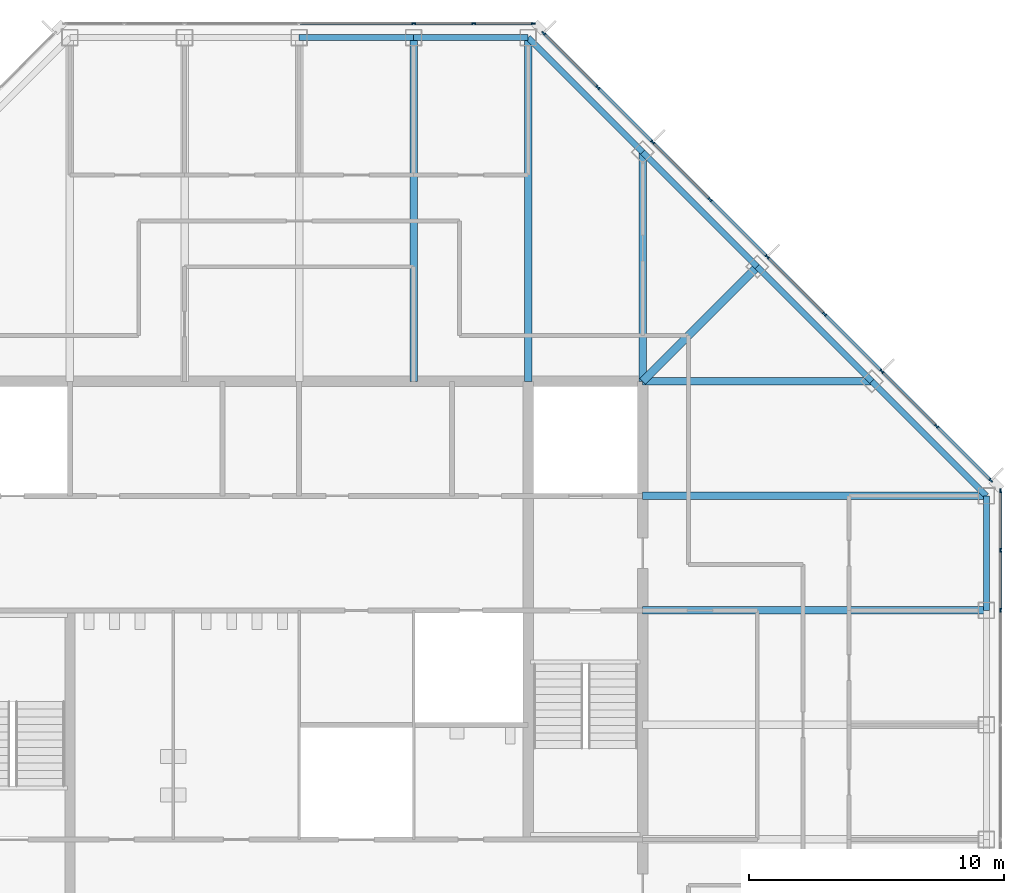
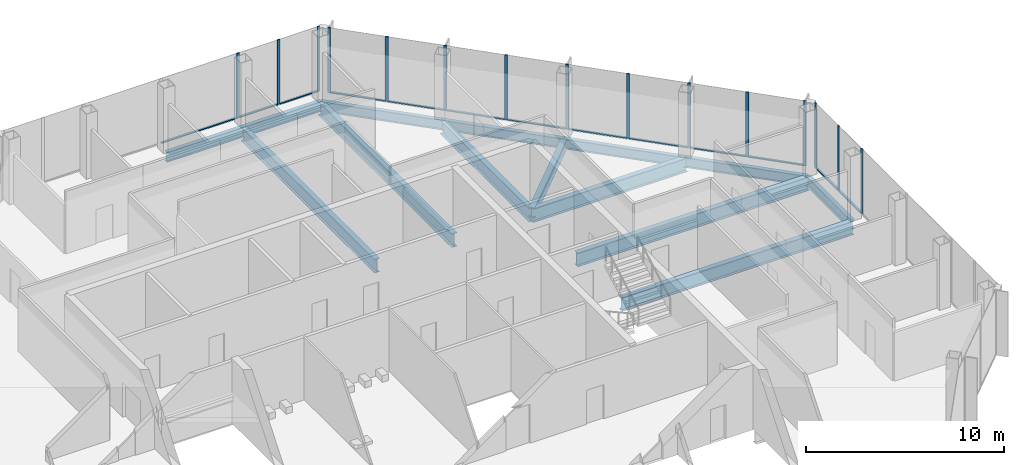
# One storey, part 7 of 14: 28 members, 14 beams, 3 elements without a shape of their own.
"""IFC4 building model written with IfcOpenShell, lengths in metres."""

from ifc_helpers import new_model, si_unit, direction, frame, origin, origin_2d, place, context, subcontext, project, spatial, rectangle, i_section, extrude, material, material_profile, profile_set, type_object, element, aggregate, save


model = new_model("IFC4")

# Units and contexts
model_context = context("Model", 3, precision=1e-05, world=origin(), true_north=direction((0.0, 1.0)))
body_context = subcontext(model_context, "Body", "Model", "MODEL_VIEW")
ifc_project = project(units=[si_unit("LENGTHUNIT", "METRE"), si_unit("AREAUNIT", "SQUARE_METRE"), si_unit("VOLUMEUNIT", "CUBIC_METRE"), si_unit("PLANEANGLEUNIT", "RADIAN"), si_unit("MASSUNIT", "GRAM", prefix="KILO")], contexts=[model_context])

# Site, building, storey
site_placement = place(None, origin())
site = spatial("IfcSite", under=ifc_project, at=site_placement, CompositionType="ELEMENT")
building_placement = place(site_placement, origin())
building = spatial("IfcBuilding", under=site, at=building_placement, Name="Corais Broadcast Tower", CompositionType="ELEMENT")
storey_placement = place(building_placement, frame((0.0, 0.0, 214.60009765625)))
storey = spatial("IfcBuildingStorey", under=building, at=storey_placement, Name="L49", CompositionType="ELEMENT", Elevation=214.60009765625)

# Beams
ifc_material_1 = material(Name="Steel ASTM A572 Grade 50", Category="steel")
ifc_material_profile_1 = material_profile(ifc_material_1, i_section(OverallWidth=0.323974609375, OverallDepth=0.611083984375, WebThickness=0.0126953125, FlangeThickness=0.01904296875, at=origin_2d()), Name="W610x155")
ifc_profile_set_1 = profile_set([ifc_material_profile_1], Name="Steel ASTM A572 Grade 50")
beam_type_1 = type_object("IfcBeamType", Name="Corner diagonal W610x155", PredefinedType="BEAM", material=ifc_profile_set_1)
beam_1_placement = place(storey_placement, frame((45.0, 45.0, -0.465576171875), z_axis=(-0.707106781187, -0.707106781187, 0.0), x_axis=(0.707106781187, -0.707106781187, 0.0)))
element("IfcBeam", 1, at=beam_1_placement, inside=storey, type_object=beam_type_1, Name="B6 L/13 to K/12", PredefinedType="BEAM", context=body_context, shape_type="SweptSolid", body=[
    extrude(i_section(OverallWidth=0.323974609375, OverallDepth=0.611083984375, WebThickness=0.0126953125, FlangeThickness=0.01904296875, at=origin_2d()), origin(), (0.0, 0.0, 1.0), 6.364013671875),
])
ifc_material_2 = material(Name="Steel ASTM A572 Grade 50", Category="steel")
ifc_material_profile_2 = material_profile(ifc_material_2, i_section(OverallWidth=0.2939453125, OverallDepth=0.85107421875, WebThickness=0.01611328125, FlangeThickness=0.02685546875, at=origin_2d()), Name="W840x226")
ifc_profile_set_2 = profile_set([ifc_material_profile_2], Name="Steel ASTM A572 Grade 50")
beam_type_2 = type_object("IfcBeamType", Name="Floor beam W840x226", PredefinedType="BEAM", material=ifc_profile_set_2)
for number, where, z_axis, x_axis, name in (
    (2, (31.5, 54.0, -0.585693359375), (0.0, -1.0, 0.0), (1.0, 0.0, 0.0), "B1 N/10 to K/10"),
    (3, (36.0, 54.0, -0.585693359375), (0.0, -1.0, 0.0), (1.0, 0.0, 0.0), "B1 N/11 to K/11"),
):
    element("IfcBeam", number, at=place(storey_placement, frame(where, z_axis=z_axis, x_axis=x_axis)), inside=storey, type_object=beam_type_2, Name=name, PredefinedType="BEAM", context=body_context, shape_type="SweptSolid", body=[
        extrude(i_section(OverallWidth=0.2939453125, OverallDepth=0.85107421875, WebThickness=0.01611328125, FlangeThickness=0.02685546875, at=origin_2d()), origin(), (0.0, 0.0, 1.0), 13.5),
    ])
for number, where, z_axis, x_axis, name in (
    (4, (40.5, 49.5, -0.585693359375), (0.0, -1.0, 0.0), (1.0, 0.0, 0.0), "B1 M/12 to K/12"),
    (5, (49.5, 40.5, -0.585693359375), (-1.0, 0.0, 0.0), (0.0, -1.0, 0.0), "B1 K/14 to K/12"),
):
    element("IfcBeam", number, at=place(storey_placement, frame(where, z_axis=z_axis, x_axis=x_axis)), inside=storey, type_object=beam_type_2, Name=name, PredefinedType="BEAM", context=body_context, shape_type="SweptSolid", body=[
        extrude(i_section(OverallWidth=0.2939453125, OverallDepth=0.85107421875, WebThickness=0.01611328125, FlangeThickness=0.02685546875, at=origin_2d()), origin(), (0.0, 0.0, 1.0), 9.0),
    ])
for number, where, z_axis, x_axis, name in (
    (6, (54.0, 31.5, -0.585693359375), (-1.0, 0.0, 0.0), (0.0, -1.0, 0.0), "B1 H/15 to H/12"),
    (7, (54.0, 36.0, -0.585693359375), (-1.0, 0.0, 0.0), (0.0, -1.0, 0.0), "B1 J/15 to J/12"),
):
    element("IfcBeam", number, at=place(storey_placement, frame(where, z_axis=z_axis, x_axis=x_axis)), inside=storey, type_object=beam_type_2, Name=name, PredefinedType="BEAM", context=body_context, shape_type="SweptSolid", body=[
        extrude(i_section(OverallWidth=0.2939453125, OverallDepth=0.85107421875, WebThickness=0.01611328125, FlangeThickness=0.02685546875, at=origin_2d()), origin(), (0.0, 0.0, 1.0), 13.5),
    ])

# Curtain wall, members
ifc_material_3 = material(Name="Aluminium and glass", Category="aluminium")
curtain_wall_type = type_object("IfcCurtainWallType", Name="Unitised fritted curtain wall CW3", PredefinedType="NOTDEFINED", material=ifc_material_3)
curtain_wall_1_placement = place(storey_placement, origin())
curtain_wall_1 = element("IfcCurtainWall", 8, at=curtain_wall_1_placement, inside=storey, type_object=curtain_wall_type, Name="CW3 curtain wall L49 4", PredefinedType="NOTDEFINED")
ifc_material_4 = material(Name="Aluminium 6063-T6", Category="aluminium")
ifc_material_profile_3 = material_profile(ifc_material_4, rectangle(XDim=0.06494140625, YDim=0.159912109375, at=origin_2d()), Name="Mullion CW3 65x160")
ifc_profile_set_3 = profile_set([ifc_material_profile_3], Name="Aluminium 6063-T6")
member_type_1 = type_object("IfcMemberType", Name="Mullion CW3 65x160", PredefinedType="MULLION", material=ifc_profile_set_3)
member_1_placement = place(storey_placement, frame((31.5, 54.550048828125, 0.0), z_axis=(0.0, 0.0, 1.0), x_axis=(0.0, 1.0, 0.0)))
member_1 = element("IfcMember", 9, at=member_1_placement, type_object=member_type_1, Name="CW3 mullion 5", PredefinedType="MULLION", context=body_context, shape_type="SweptSolid", body=[
    extrude(rectangle(XDim=0.06494140625, YDim=0.159912109375, at=origin_2d()), origin(), (0.0, 0.0, 1.0), 4.0),
])
member_2_placement = place(storey_placement, frame((33.864013671875, 54.550048828125, 0.0), z_axis=(0.0, 0.0, 1.0), x_axis=(0.0, 1.0, 0.0)))
member_2 = element("IfcMember", 10, at=member_2_placement, type_object=member_type_1, Name="CW3 mullion 6", PredefinedType="MULLION", context=body_context, shape_type="SweptSolid", body=[
    extrude(rectangle(XDim=0.06494140625, YDim=0.159912109375, at=origin_2d()), origin(), (0.0, 0.0, 1.0), 4.0),
])
member_3_placement = place(storey_placement, frame((36.1953125, 54.550048828125, 0.0), z_axis=(0.0, 0.0, 1.0), x_axis=(0.0, 1.0, 0.0)))
member_3 = element("IfcMember", 11, at=member_3_placement, type_object=member_type_1, Name="CW3 mullion 7", PredefinedType="MULLION", context=body_context, shape_type="SweptSolid", body=[
    extrude(rectangle(XDim=0.06494140625, YDim=0.159912109375, at=origin_2d()), origin(), (0.0, 0.0, 1.0), 4.0),
])

curtain_wall_2_placement = place(storey_placement, origin())
curtain_wall_2 = element("IfcCurtainWall", 12, at=curtain_wall_2_placement, inside=storey, type_object=curtain_wall_type, Name="CW3 curtain wall L49 5", PredefinedType="NOTDEFINED")
member_4_placement = place(storey_placement, frame((36.6044921875, 54.17333984375, 0.0), z_axis=(0.0, 0.0, 1.0), x_axis=(0.707106781187, 0.707106781187, 0.0)))
member_4 = element("IfcMember", 13, at=member_4_placement, type_object=member_type_1, Name="CW3 mullion 1", PredefinedType="MULLION", context=body_context, shape_type="SweptSolid", body=[
    extrude(rectangle(XDim=0.06494140625, YDim=0.159912109375, at=origin_2d()), origin(), (0.0, 0.0, 1.0), 4.0),
])
member_5_placement = place(storey_placement, frame((38.735107421875, 52.042724609375, 0.0), z_axis=(0.0, 0.0, 1.0), x_axis=(0.707106781187, 0.707106781187, 0.0)))
member_5 = element("IfcMember", 14, at=member_5_placement, type_object=member_type_1, Name="CW3 mullion 2", PredefinedType="MULLION", context=body_context, shape_type="SweptSolid", body=[
    extrude(rectangle(XDim=0.06494140625, YDim=0.159912109375, at=origin_2d()), origin(), (0.0, 0.0, 1.0), 4.0),
])
member_6_placement = place(storey_placement, frame((40.888916015625, 49.888916015625, 0.0), z_axis=(0.0, 0.0, 1.0), x_axis=(0.707106781187, 0.707106781187, 0.0)))
member_6 = element("IfcMember", 15, at=member_6_placement, type_object=member_type_1, Name="CW3 mullion 3", PredefinedType="MULLION", context=body_context, shape_type="SweptSolid", body=[
    extrude(rectangle(XDim=0.06494140625, YDim=0.159912109375, at=origin_2d()), origin(), (0.0, 0.0, 1.0), 4.0),
])
member_7_placement = place(storey_placement, frame((43.138916015625, 47.638916015625, 0.0), z_axis=(0.0, 0.0, 1.0), x_axis=(0.707106781187, 0.707106781187, 0.0)))
member_7 = element("IfcMember", 16, at=member_7_placement, type_object=member_type_1, Name="CW3 mullion 4", PredefinedType="MULLION", context=body_context, shape_type="SweptSolid", body=[
    extrude(rectangle(XDim=0.06494140625, YDim=0.159912109375, at=origin_2d()), origin(), (0.0, 0.0, 1.0), 4.0),
])
member_8_placement = place(storey_placement, frame((45.388916015625, 45.388916015625, 0.0), z_axis=(0.0, 0.0, 1.0), x_axis=(0.707106781187, 0.707106781187, 0.0)))
member_8 = element("IfcMember", 17, at=member_8_placement, type_object=member_type_1, Name="CW3 mullion 5", PredefinedType="MULLION", context=body_context, shape_type="SweptSolid", body=[
    extrude(rectangle(XDim=0.06494140625, YDim=0.159912109375, at=origin_2d()), origin(), (0.0, 0.0, 1.0), 4.0),
])
member_9_placement = place(storey_placement, frame((47.638916015625, 43.138916015625, 0.0), z_axis=(0.0, 0.0, 1.0), x_axis=(0.707106781187, 0.707106781187, 0.0)))
member_9 = element("IfcMember", 18, at=member_9_placement, type_object=member_type_1, Name="CW3 mullion 6", PredefinedType="MULLION", context=body_context, shape_type="SweptSolid", body=[
    extrude(rectangle(XDim=0.06494140625, YDim=0.159912109375, at=origin_2d()), origin(), (0.0, 0.0, 1.0), 4.0),
])
member_10_placement = place(storey_placement, frame((49.888916015625, 40.888916015625, 0.0), z_axis=(0.0, 0.0, 1.0), x_axis=(0.707106781187, 0.707106781187, 0.0)))
member_10 = element("IfcMember", 19, at=member_10_placement, type_object=member_type_1, Name="CW3 mullion 7", PredefinedType="MULLION", context=body_context, shape_type="SweptSolid", body=[
    extrude(rectangle(XDim=0.06494140625, YDim=0.159912109375, at=origin_2d()), origin(), (0.0, 0.0, 1.0), 4.0),
])
member_11_placement = place(storey_placement, frame((52.042724609375, 38.735107421875, 0.0), z_axis=(0.0, 0.0, 1.0), x_axis=(0.707106781187, 0.707106781187, 0.0)))
member_11 = element("IfcMember", 20, at=member_11_placement, type_object=member_type_1, Name="CW3 mullion 8", PredefinedType="MULLION", context=body_context, shape_type="SweptSolid", body=[
    extrude(rectangle(XDim=0.06494140625, YDim=0.159912109375, at=origin_2d()), origin(), (0.0, 0.0, 1.0), 4.0),
])
member_12_placement = place(storey_placement, frame((54.17333984375, 36.6044921875, 0.0), z_axis=(0.0, 0.0, 1.0), x_axis=(0.707106781187, 0.707106781187, 0.0)))
member_12 = element("IfcMember", 21, at=member_12_placement, type_object=member_type_1, Name="CW3 mullion 9", PredefinedType="MULLION", context=body_context, shape_type="SweptSolid", body=[
    extrude(rectangle(XDim=0.06494140625, YDim=0.159912109375, at=origin_2d()), origin(), (0.0, 0.0, 1.0), 4.0),
])

curtain_wall_3_placement = place(storey_placement, origin())
curtain_wall_3 = element("IfcCurtainWall", 22, at=curtain_wall_3_placement, inside=storey, type_object=curtain_wall_type, Name="CW3 curtain wall L49 6", PredefinedType="NOTDEFINED")
member_13_placement = place(storey_placement, frame((54.550048828125, 36.1953125, 0.0), z_axis=(0.0, 0.0, 1.0), x_axis=(1.0, 0.0, 0.0)))
member_13 = element("IfcMember", 23, at=member_13_placement, type_object=member_type_1, Name="CW3 mullion 1", PredefinedType="MULLION", context=body_context, shape_type="SweptSolid", body=[
    extrude(rectangle(XDim=0.06494140625, YDim=0.159912109375, at=origin_2d()), origin(), (0.0, 0.0, 1.0), 4.0),
])
member_14_placement = place(storey_placement, frame((54.550048828125, 33.864013671875, 0.0), z_axis=(0.0, 0.0, 1.0), x_axis=(1.0, 0.0, 0.0)))
member_14 = element("IfcMember", 24, at=member_14_placement, type_object=member_type_1, Name="CW3 mullion 2", PredefinedType="MULLION", context=body_context, shape_type="SweptSolid", body=[
    extrude(rectangle(XDim=0.06494140625, YDim=0.159912109375, at=origin_2d()), origin(), (0.0, 0.0, 1.0), 4.0),
])
member_15_placement = place(storey_placement, frame((54.550048828125, 31.5, 0.0), z_axis=(0.0, 0.0, 1.0), x_axis=(1.0, 0.0, 0.0)))
member_15 = element("IfcMember", 25, at=member_15_placement, type_object=member_type_1, Name="CW3 mullion 3", PredefinedType="MULLION", context=body_context, shape_type="SweptSolid", body=[
    extrude(rectangle(XDim=0.06494140625, YDim=0.159912109375, at=origin_2d()), origin(), (0.0, 0.0, 1.0), 4.0),
])

# Beams
ifc_material_5 = material(Name="Steel ASTM A572 Grade 50", Category="steel")
ifc_material_profile_4 = material_profile(ifc_material_5, i_section(OverallWidth=0.22998046875, OverallDepth=0.616943359375, WebThickness=0.01318359375, FlangeThickness=0.022216796875, at=origin_2d()), Name="W610x140")
ifc_profile_set_4 = profile_set([ifc_material_profile_4], Name="Steel ASTM A572 Grade 50")
beam_type_3 = type_object("IfcBeamType", Name="Spandrel W610x140", PredefinedType="BEAM", material=ifc_profile_set_4)
for number, where, z_axis, x_axis, name in (
    (26, (31.5, 54.0, -0.468505859375), (-1.0, 0.0, 0.0), (0.0, -1.0, 0.0), "SB3 N/10 to N/9"),
    (27, (36.0, 54.0, -0.468505859375), (-1.0, 0.0, 0.0), (0.0, -1.0, 0.0), "SB3 N/11 to N/10"),
):
    element("IfcBeam", number, at=place(storey_placement, frame(where, z_axis=z_axis, x_axis=x_axis)), inside=storey, type_object=beam_type_3, Name=name, PredefinedType="BEAM", context=body_context, shape_type="SweptSolid", body=[
        extrude(i_section(OverallWidth=0.22998046875, OverallDepth=0.616943359375, WebThickness=0.01318359375, FlangeThickness=0.022216796875, at=origin_2d()), origin(), (0.0, 0.0, 1.0), 4.5),
    ])
for number, where, z_axis, x_axis, name in (
    (28, (40.5, 49.5, -0.468505859375), (-0.707106781187, 0.707106781187, 0.0), (-0.707106781187, -0.707106781187, 0.0), "SB3 M/12 to N/11"),
    (29, (45.0, 45.0, -0.468505859375), (-0.707106781187, 0.707106781187, 0.0), (-0.707106781187, -0.707106781187, 0.0), "SB3 L/13 to M/12"),
    (30, (49.5, 40.5, -0.468505859375), (-0.707106781187, 0.707106781187, 0.0), (-0.707106781187, -0.707106781187, 0.0), "SB3 K/14 to L/13"),
):
    element("IfcBeam", number, at=place(storey_placement, frame(where, z_axis=z_axis, x_axis=x_axis)), inside=storey, type_object=beam_type_3, Name=name, PredefinedType="BEAM", context=body_context, shape_type="SweptSolid", body=[
        extrude(i_section(OverallWidth=0.22998046875, OverallDepth=0.616943359375, WebThickness=0.01318359375, FlangeThickness=0.022216796875, at=origin_2d()), origin(), (0.0, 0.0, 1.0), 6.364013671875),
    ])
beam_2_placement = place(storey_placement, frame((54.0, 31.5, -0.468505859375), z_axis=(0.0, 1.0, 0.0), x_axis=(-1.0, 0.0, 0.0)))
element("IfcBeam", 31, at=beam_2_placement, inside=storey, type_object=beam_type_3, Name="SB3 H/15 to J/15", PredefinedType="BEAM", context=body_context, shape_type="SweptSolid", body=[
    extrude(i_section(OverallWidth=0.22998046875, OverallDepth=0.616943359375, WebThickness=0.01318359375, FlangeThickness=0.022216796875, at=origin_2d()), origin(), (0.0, 0.0, 1.0), 4.5),
])
beam_3_placement = place(storey_placement, frame((54.0, 36.0, -0.468505859375), z_axis=(-0.707106781187, 0.707106781187, 0.0), x_axis=(-0.707106781187, -0.707106781187, 0.0)))
element("IfcBeam", 32, at=beam_3_placement, inside=storey, type_object=beam_type_3, Name="SB3 J/15 to K/14", PredefinedType="BEAM", context=body_context, shape_type="SweptSolid", body=[
    extrude(i_section(OverallWidth=0.22998046875, OverallDepth=0.616943359375, WebThickness=0.01318359375, FlangeThickness=0.022216796875, at=origin_2d()), origin(), (0.0, 0.0, 1.0), 6.364013671875),
])

# Member
ifc_material_6 = material(Name="Aluminium 6063-T6", Category="aluminium")
ifc_material_profile_5 = material_profile(ifc_material_6, rectangle(XDim=0.1201171875, YDim=0.06494140625, at=origin_2d()), Name="Transom CW3 65x120")
ifc_profile_set_5 = profile_set([ifc_material_profile_5], Name="Aluminium 6063-T6")
member_type_2 = type_object("IfcMemberType", Name="Transom CW3 65x120", PredefinedType="USERDEFINED", material=ifc_profile_set_5)
member_16_placement = place(storey_placement, frame((27.032470703125, 54.550048828125, 0.032470703125), z_axis=(1.0, 0.0, 0.0), x_axis=(0.0, 1.0, 0.0)))
member_16 = element("IfcMember", 33, at=member_16_placement, type_object=member_type_2, Name="CW3 transom 4.1", ObjectType="TRANSOM", PredefinedType="USERDEFINED", context=body_context, shape_type="SweptSolid", body=[
    extrude(rectangle(XDim=0.1201171875, YDim=0.06494140625, at=origin_2d()), origin(), (0.0, 0.0, 1.0), 4.43505859375),
])

member_17_placement = place(storey_placement, frame((31.532470703125, 54.550048828125, 0.032470703125), z_axis=(1.0, 0.0, 0.0), x_axis=(0.0, 1.0, 0.0)))
member_17 = element("IfcMember", 34, at=member_17_placement, type_object=member_type_2, Name="CW3 transom 5.1", ObjectType="TRANSOM", PredefinedType="USERDEFINED", context=body_context, shape_type="SweptSolid", body=[
    extrude(rectangle(XDim=0.1201171875, YDim=0.06494140625, at=origin_2d()), origin(), (0.0, 0.0, 1.0), 2.298828125),
])

member_18_placement = place(storey_placement, frame((33.896484375, 54.550048828125, 0.032470703125), z_axis=(1.0, 0.0, 0.0), x_axis=(0.0, 1.0, 0.0)))
member_18 = element("IfcMember", 35, at=member_18_placement, type_object=member_type_2, Name="CW3 transom 6.1", ObjectType="TRANSOM", PredefinedType="USERDEFINED", context=body_context, shape_type="SweptSolid", body=[
    extrude(rectangle(XDim=0.1201171875, YDim=0.06494140625, at=origin_2d()), origin(), (0.0, 0.0, 1.0), 2.266357421875),
])

aggregate(curtain_wall_1, [member_1, member_2, member_3, member_16, member_17, member_18])

member_19_placement = place(storey_placement, frame((36.62744140625, 54.150390625, 0.032470703125), z_axis=(0.707106781187, -0.707106781187, 0.0), x_axis=(0.707106781187, 0.707106781187, 0.0)))
member_19 = element("IfcMember", 36, at=member_19_placement, type_object=member_type_2, Name="CW3 transom 1.1", ObjectType="TRANSOM", PredefinedType="USERDEFINED", context=body_context, shape_type="SweptSolid", body=[
    extrude(rectangle(XDim=0.1201171875, YDim=0.06494140625, at=origin_2d()), origin(), (0.0, 0.0, 1.0), 2.9482421875),
])

member_20_placement = place(storey_placement, frame((38.758056640625, 52.019775390625, 0.032470703125), z_axis=(0.707106781187, -0.707106781187, 0.0), x_axis=(0.707106781187, 0.707106781187, 0.0)))
member_20 = element("IfcMember", 37, at=member_20_placement, type_object=member_type_2, Name="CW3 transom 2.1", ObjectType="TRANSOM", PredefinedType="USERDEFINED", context=body_context, shape_type="SweptSolid", body=[
    extrude(rectangle(XDim=0.1201171875, YDim=0.06494140625, at=origin_2d()), origin(), (0.0, 0.0, 1.0), 2.98095703125),
])

member_21_placement = place(storey_placement, frame((40.911865234375, 49.865966796875, 0.032470703125), z_axis=(0.707106781187, -0.707106781187, 0.0), x_axis=(0.707106781187, 0.707106781187, 0.0)))
member_21 = element("IfcMember", 38, at=member_21_placement, type_object=member_type_2, Name="CW3 transom 3.1", ObjectType="TRANSOM", PredefinedType="USERDEFINED", context=body_context, shape_type="SweptSolid", body=[
    extrude(rectangle(XDim=0.1201171875, YDim=0.06494140625, at=origin_2d()), origin(), (0.0, 0.0, 1.0), 3.1171875),
])

member_22_placement = place(storey_placement, frame((43.161865234375, 47.615966796875, 0.032470703125), z_axis=(0.707106781187, -0.707106781187, 0.0), x_axis=(0.707106781187, 0.707106781187, 0.0)))
member_22 = element("IfcMember", 39, at=member_22_placement, type_object=member_type_2, Name="CW3 transom 4.1", ObjectType="TRANSOM", PredefinedType="USERDEFINED", context=body_context, shape_type="SweptSolid", body=[
    extrude(rectangle(XDim=0.1201171875, YDim=0.06494140625, at=origin_2d()), origin(), (0.0, 0.0, 1.0), 3.1171875),
])

member_23_placement = place(storey_placement, frame((45.411865234375, 45.365966796875, 0.032470703125), z_axis=(0.707106781187, -0.707106781187, 0.0), x_axis=(0.707106781187, 0.707106781187, 0.0)))
member_23 = element("IfcMember", 40, at=member_23_placement, type_object=member_type_2, Name="CW3 transom 5.1", ObjectType="TRANSOM", PredefinedType="USERDEFINED", context=body_context, shape_type="SweptSolid", body=[
    extrude(rectangle(XDim=0.1201171875, YDim=0.06494140625, at=origin_2d()), origin(), (0.0, 0.0, 1.0), 3.1171875),
])

member_24_placement = place(storey_placement, frame((47.661865234375, 43.115966796875, 0.032470703125), z_axis=(0.707106781187, -0.707106781187, 0.0), x_axis=(0.707106781187, 0.707106781187, 0.0)))
member_24 = element("IfcMember", 41, at=member_24_placement, type_object=member_type_2, Name="CW3 transom 6.1", ObjectType="TRANSOM", PredefinedType="USERDEFINED", context=body_context, shape_type="SweptSolid", body=[
    extrude(rectangle(XDim=0.1201171875, YDim=0.06494140625, at=origin_2d()), origin(), (0.0, 0.0, 1.0), 3.1171875),
])

member_25_placement = place(storey_placement, frame((49.911865234375, 40.865966796875, 0.032470703125), z_axis=(0.707065828661, -0.70714773134, 0.0), x_axis=(0.70714773134, 0.707065828661, 0.0)))
member_25 = element("IfcMember", 42, at=member_25_placement, type_object=member_type_2, Name="CW3 transom 7.1", ObjectType="TRANSOM", PredefinedType="USERDEFINED", context=body_context, shape_type="SweptSolid", body=[
    extrude(rectangle(XDim=0.1201171875, YDim=0.06494140625, at=origin_2d()), origin(), (0.0, 0.0, 1.0), 2.98095703125),
])

member_26_placement = place(storey_placement, frame((52.065673828125, 38.712158203125, 0.032470703125), z_axis=(0.707106781187, -0.707106781187, 0.0), x_axis=(0.707106781187, 0.707106781187, 0.0)))
member_26 = element("IfcMember", 43, at=member_26_placement, type_object=member_type_2, Name="CW3 transom 8.1", ObjectType="TRANSOM", PredefinedType="USERDEFINED", context=body_context, shape_type="SweptSolid", body=[
    extrude(rectangle(XDim=0.1201171875, YDim=0.06494140625, at=origin_2d()), origin(), (0.0, 0.0, 1.0), 2.9482421875),
])

aggregate(curtain_wall_2, [member_4, member_5, member_6, member_7, member_8, member_9, member_10, member_11, member_12, member_19, member_20, member_21, member_22, member_23, member_24, member_25, member_26])

member_27_placement = place(storey_placement, frame((54.550048828125, 36.162841796875, 0.032470703125), z_axis=(0.0, -1.0, 0.0), x_axis=(1.0, 0.0, 0.0)))
member_27 = element("IfcMember", 44, at=member_27_placement, type_object=member_type_2, Name="CW3 transom 1.1", ObjectType="TRANSOM", PredefinedType="USERDEFINED", context=body_context, shape_type="SweptSolid", body=[
    extrude(rectangle(XDim=0.1201171875, YDim=0.06494140625, at=origin_2d()), origin(), (0.0, 0.0, 1.0), 2.266357421875),
])

member_28_placement = place(storey_placement, frame((54.550048828125, 33.831298828125, 0.032470703125), z_axis=(0.0, -1.0, 0.0), x_axis=(1.0, 0.0, 0.0)))
member_28 = element("IfcMember", 45, at=member_28_placement, type_object=member_type_2, Name="CW3 transom 2.1", ObjectType="TRANSOM", PredefinedType="USERDEFINED", context=body_context, shape_type="SweptSolid", body=[
    extrude(rectangle(XDim=0.1201171875, YDim=0.06494140625, at=origin_2d()), origin(), (0.0, 0.0, 1.0), 2.298828125),
])

aggregate(curtain_wall_3, [member_13, member_14, member_15, member_27, member_28])

save(model, "model.ifc")
